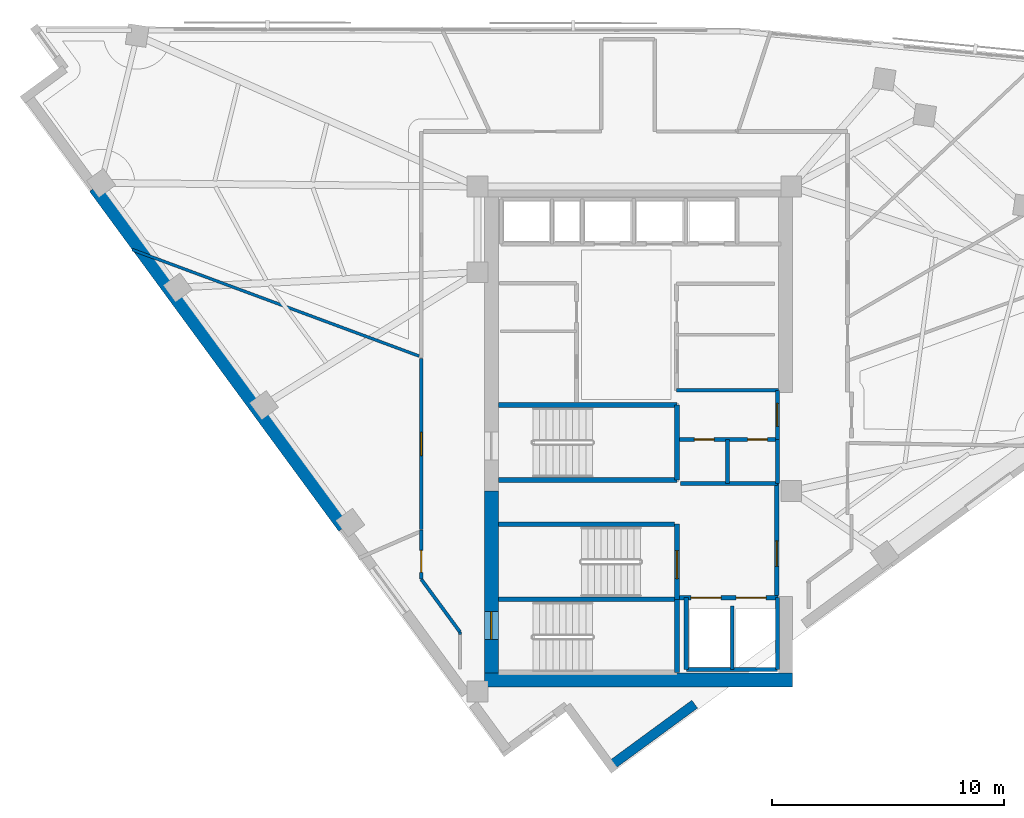
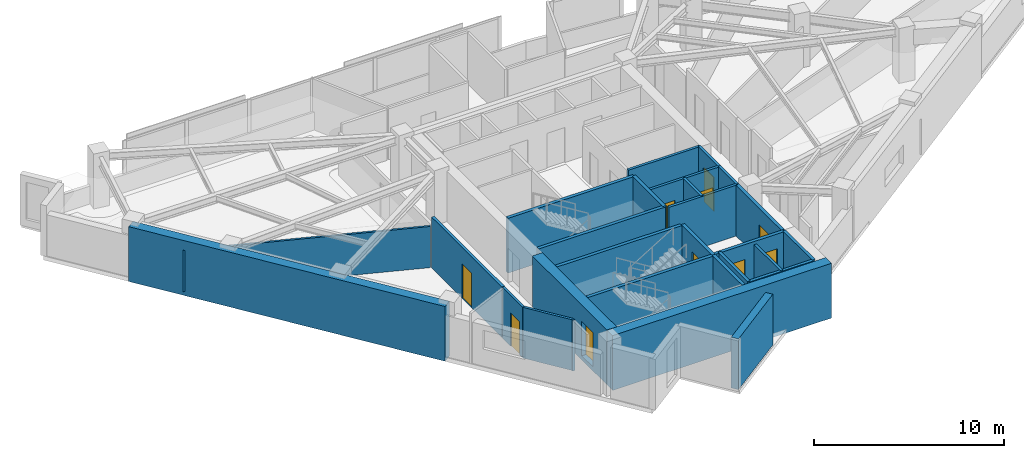
# One storey, part 8 of 14: 28 walls, 10 doors, 10 openings.
"""IFC4 building model written with IfcOpenShell, lengths in metres."""

from ifc_helpers import new_model, si_unit, direction, frame, frame_2d, origin, place, context, subcontext, project, spatial, rectangle, extrude, material, layer, layer_set, type_object, element, fill, save


model = new_model("IFC4")

# Units and contexts
model_context = context("Model", 3, precision=1e-05, world=origin(), true_north=direction((0.0, 1.0)))
body_context = subcontext(model_context, "Body", "Model", "MODEL_VIEW")
ifc_project = project(units=[si_unit("LENGTHUNIT", "METRE"), si_unit("AREAUNIT", "SQUARE_METRE"), si_unit("VOLUMEUNIT", "CUBIC_METRE"), si_unit("PLANEANGLEUNIT", "RADIAN"), si_unit("MASSUNIT", "GRAM", prefix="KILO")], contexts=[model_context])

# Site, building, storey
site_placement = place(None, origin())
site = spatial("IfcSite", under=ifc_project, at=site_placement, CompositionType="ELEMENT")
building_placement = place(site_placement, origin())
building = spatial("IfcBuilding", under=site, at=building_placement, Name="Narakoshi Arena Tower", CompositionType="ELEMENT")
storey_placement = place(building_placement, frame((0.0, 0.0, 250.179931640625)))
storey = spatial("IfcBuildingStorey", under=building, at=storey_placement, Name="L68", CompositionType="ELEMENT", Elevation=250.179931640625)

# Wall, opening, door
ifc_material_1 = material(Name="Concrete C50/60", Category="concrete")
ifc_layer_1 = layer(ifc_material_1, 0.60009765625)
ifc_layer_set_1 = layer_set([ifc_layer_1], Name="Concrete C50/60")
wall_type_1 = type_object("IfcWallType", Name="WL-CORE-600", PredefinedType="SHEAR", material=ifc_layer_set_1)
wall_1_placement = place(storey_placement, frame((72.60009765625, 35.5, -0.260009765625), z_axis=(0.0, 0.0, 1.0), x_axis=(0.0, 1.0, 0.0)))
wall_1 = element("IfcWall", 1, at=wall_1_placement, inside=storey, type_object=wall_type_1, Name="L68 Central Core Shear Wall CW-APX-W", PredefinedType="SHEAR", context=body_context, shape_type="SweptSolid", body=[
    extrude(rectangle(XDim=7.85009765625, YDim=0.60009765625, at=frame_2d((3.925048828125, 0.0))), origin(), (0.0, 0.0, 1.0), 3.52001953125),
])
opening_1_placement = place(wall_1_placement, frame((1.449951171875, 0.0, 0.260009765625)))
opening_1 = element("IfcOpeningElement", 2, at=opening_1_placement, cuts=wall_1, Name="Opening D-03", PredefinedType="OPENING", context=body_context, shape_type="SweptSolid", body=[
    extrude(rectangle(XDim=1.199951171875, YDim=2.199951171875, at=frame_2d((0.60009765625, 1.10009765625))), frame((0.0, 0.31005859375, 0.0), z_axis=(0.0, -1.0, 0.0), x_axis=(1.0, 0.0, 0.0)), (0.0, 0.0, 1.0), 0.6201171875),
])
ifc_material_2 = material(Name="Painted galvanized steel", Category="steel")
door_type_1 = type_object("IfcDoorType", Name="DR-STR-1200", OperationType="NOTDEFINED", PredefinedType="USERDEFINED", material=ifc_material_2)
door_1_placement = place(opening_1_placement, frame((1.199951171875, 0.0, 0.0), z_axis=(0.0, 0.0, 1.0), x_axis=(-1.0, 0.0, 0.0)))
door_1 = element("IfcDoor", 3, at=door_1_placement, inside=storey, type_object=door_type_1, Name="DR-L68-001", ObjectType="EXITDOOR", OperationType="SINGLE_SWING_LEFT", OverallHeight=2.199951171875, OverallWidth=1.199951171875, PredefinedType="USERDEFINED", context=body_context, shape_type="SweptSolid", body=[
    extrude(rectangle(XDim=1.199951171875, YDim=2.199951171875, at=frame_2d((0.60009765625, 1.10009765625))), frame((0.0, 0.02490234375, 0.0), z_axis=(0.0, -1.0, 0.0), x_axis=(1.0, 0.0, 0.0)), (0.0, 0.0, 1.0), 0.050048828125),
])
fill(opening_1, door_1)

# Wall
wall_2_placement = place(storey_placement, frame((72.300048828125, 35.199951171875, -0.260009765625), z_axis=(0.0, 0.0, 1.0), x_axis=(1.0, 0.0, 0.0)))
element("IfcWall", 4, at=wall_2_placement, inside=storey, type_object=wall_type_1, Name="L68 Central Core Shear Wall CW-APX-S", PredefinedType="SHEAR", context=body_context, shape_type="SweptSolid", body=[
    extrude(rectangle(XDim=13.300048828125, YDim=0.60009765625, at=frame_2d((6.64990234375, 0.0))), origin(), (0.0, 0.0, 1.0), 3.52001953125),
])

# Wall, opening, door
ifc_material_3 = material(Name="Gypsum plasterboard fire-rated partition")
ifc_layer_2 = layer(ifc_material_3, 0.1650390625)
ifc_layer_set_2 = layer_set([ifc_layer_2], Name="Gypsum plasterboard fire-rated partition")
wall_type_2 = type_object("IfcWallType", Name="WL-CORR-165", PredefinedType="PARTITIONING", material=ifc_layer_set_2)
wall_3_placement = place(storey_placement, frame((84.949951171875, 45.580078125, 0.0), z_axis=(0.0, 0.0, 1.0), x_axis=(0.0, 1.0, 0.0)))
wall_3 = element("IfcWall", 5, at=wall_3_placement, inside=storey, type_object=wall_type_2, Name="L68 Core Wall CPAS-E", PredefinedType="PARTITIONING", context=body_context, shape_type="SweptSolid", body=[
    extrude(rectangle(XDim=2.119873046875, YDim=0.1650390625, at=frame_2d((1.06005859375, 0.0))), origin(), (0.0, 0.0, 1.0), 3.260009765625),
])
opening_2_placement = place(wall_3_placement, frame((0.56005859375, 0.0, 0.0)))
opening_2 = element("IfcOpeningElement", 6, at=opening_2_placement, cuts=wall_3, Name="Opening D-06", PredefinedType="OPENING", context=body_context, shape_type="SweptSolid", body=[
    extrude(rectangle(XDim=1.0, YDim=2.199951171875, at=frame_2d((0.5, 1.10009765625))), frame((0.0, 0.092529296875, 0.0), z_axis=(0.0, -1.0, 0.0), x_axis=(1.0, 0.0, 0.0)), (0.0, 0.0, 1.0), 0.18505859375),
])
ifc_material_4 = material(Name="Stained oak solid-core timber", Category="wood")
door_type_2 = type_object("IfcDoorType", Name="DR-OFF-1000", OperationType="NOTDEFINED", PredefinedType="DOOR", material=ifc_material_4)
door_2_placement = place(opening_2_placement, frame((1.0, 0.0, 0.0), z_axis=(0.0, 0.0, 1.0), x_axis=(-1.0, 0.0, 0.0)))
door_2 = element("IfcDoor", 7, at=door_2_placement, inside=storey, type_object=door_type_2, Name="DR-L68-007", OperationType="SINGLE_SWING_LEFT", OverallHeight=2.199951171875, OverallWidth=1.0, PredefinedType="DOOR", context=body_context, shape_type="SweptSolid", body=[
    extrude(rectangle(XDim=1.0, YDim=2.199951171875, at=frame_2d((0.5, 1.10009765625))), frame((0.0, 0.02490234375, 0.0), z_axis=(0.0, -1.0, 0.0), x_axis=(1.0, 0.0, 0.0)), (0.0, 0.0, 1.0), 0.050048828125),
])
fill(opening_2, door_2)

wall_4_placement = place(storey_placement, frame((69.573486328125, 49.082763671875, 0.0), z_axis=(0.0, 0.0, 1.0), x_axis=(0.0, -1.0, 0.0)))
wall_4 = element("IfcWall", 8, at=wall_4_placement, inside=storey, type_object=wall_type_2, Name="L68 Corridor Partition 09-1", PredefinedType="PARTITIONING", context=body_context, shape_type="SweptSolid", body=[
    extrude(rectangle(XDim=7.3955078125, YDim=0.1650390625, at=frame_2d((3.69775390625, 0.0))), origin(), (0.0, 0.0, 1.0), 3.260009765625),
])
opening_3_placement = place(wall_4_placement, frame((3.19775390625, 0.0, 0.0)))
opening_3 = element("IfcOpeningElement", 9, at=opening_3_placement, cuts=wall_4, Name="Opening D-06", PredefinedType="OPENING", context=body_context, shape_type="SweptSolid", body=[
    extrude(rectangle(XDim=1.0, YDim=2.199951171875, at=frame_2d((0.5, 1.10009765625))), frame((0.0, 0.092529296875, 0.0), z_axis=(0.0, -1.0, 0.0), x_axis=(1.0, 0.0, 0.0)), (0.0, 0.0, 1.0), 0.18505859375),
])
door_3_placement = place(opening_3_placement, frame((1.0, 0.0, 0.0), z_axis=(0.0, 0.0, 1.0), x_axis=(-1.0, 0.0, 0.0)))
door_3 = element("IfcDoor", 10, at=door_3_placement, inside=storey, type_object=door_type_2, Name="DR-L68-025", OperationType="SINGLE_SWING_RIGHT", OverallHeight=2.199951171875, OverallWidth=1.0, PredefinedType="DOOR", context=body_context, shape_type="SweptSolid", body=[
    extrude(rectangle(XDim=1.0, YDim=2.199951171875, at=frame_2d((0.5, 1.10009765625))), frame((0.0, 0.02490234375, 0.0), z_axis=(0.0, -1.0, 0.0), x_axis=(1.0, 0.0, 0.0)), (0.0, 0.0, 1.0), 0.050048828125),
])
fill(opening_3, door_3)

# Walls
ifc_layer_3 = layer(ifc_material_1, 0.550048828125)
ifc_layer_set_3 = layer_set([ifc_layer_3], Name="Concrete C50/60")
wall_type_3 = type_object("IfcWallType", Name="WL-LEG-550", PredefinedType="SHEAR", material=ifc_layer_set_3)
wall_5_placement = place(storey_placement, frame((55.47509765625, 56.450439453125, -0.260009765625), z_axis=(0.0, 0.0, 1.0), x_axis=(0.591309555876, -0.806444672082, 0.0)))
element("IfcWall", 11, at=wall_5_placement, inside=storey, type_object=wall_type_3, Name="L68 Architectural Concrete Structural Wall LEGB-2", PredefinedType="SHEAR", context=body_context, shape_type="SweptSolid", body=[
    extrude(rectangle(XDim=18.1923828125, YDim=0.550048828125, at=frame_2d((9.09619140625, 0.0))), origin(), (0.0, 0.0, 1.0), 3.52001953125),
])
ifc_layer_4 = layer(ifc_material_3, 0.125)
ifc_layer_set_4 = layer_set([ifc_layer_4], Name="Gypsum plasterboard fire-rated partition")
wall_type_4 = type_object("IfcWallType", Name="WL-PART-125", PredefinedType="PARTITIONING", material=ifc_layer_set_4)
wall_6_placement = place(storey_placement, frame((69.47900390625, 49.181884765625, 0.0), z_axis=(0.0, 0.0, 1.0), x_axis=(-0.937624257071, 0.347650330868, 0.0)))
element("IfcWall", 12, at=wall_6_placement, inside=storey, type_object=wall_type_4, Name="L68 Inter-Room Partition 08-09", PredefinedType="PARTITIONING", context=body_context, shape_type="SweptSolid", body=[
    extrude(rectangle(XDim=13.205322265625, YDim=0.125, at=frame_2d((6.6025390625, 0.0))), origin(), (0.0, 0.0, 1.0), 2.64501953125),
])
ifc_material_5 = material(Name="Precast concrete C45/55", Category="concrete")
ifc_layer_5 = layer(ifc_material_5, 0.419921875)
ifc_layer_set_5 = layer_set([ifc_layer_5], Name="Precast concrete C45/55")
wall_type_5 = type_object("IfcWallType", Name="WL-POD-420", PredefinedType="SOLIDWALL", material=ifc_layer_set_5)
wall_7_placement = place(storey_placement, frame((77.760009765625, 31.4951171875, 0.0), z_axis=(0.0, 0.0, 1.0), x_axis=(0.806458583304, 0.591290582891, 0.0)))
element("IfcWall", 13, at=wall_7_placement, inside=storey, type_object=wall_type_5, Name="L68 Architectural Concrete Facade Wall LEGA-1", PredefinedType="SOLIDWALL", context=body_context, shape_type="SweptSolid", body=[
    extrude(rectangle(XDim=4.48974609375, YDim=0.419921875, at=frame_2d((2.244873046875, 0.0))), origin(), (0.0, 0.0, 1.0), 3.260009765625),
])
ifc_material_6 = material(Name="Concrete C40/50", Category="concrete")
ifc_layer_6 = layer(ifc_material_6, 0.280029296875)
ifc_layer_set_6 = layer_set([ifc_layer_6], Name="Concrete C40/50")
wall_type_6 = type_object("IfcWallType", Name="WL-RISER-280", PredefinedType="PLUMBINGWALL", material=ifc_layer_set_6)
wall_8_placement = place(storey_placement, frame((83.0, 35.64990234375, 0.0), z_axis=(0.0, 0.0, 1.0), x_axis=(0.0, 1.0, 0.0)))
element("IfcWall", 14, at=wall_8_placement, inside=storey, type_object=wall_type_6, Name="L68 Core Wall FF-DIV", PredefinedType="PLUMBINGWALL", context=body_context, shape_type="SweptSolid", body=[
    extrude(rectangle(XDim=2.75, YDim=0.159912109375, at=frame_2d((1.375, 0.0))), origin(), (0.0, 0.0, 1.0), 3.260009765625),
])
wall_9_placement = place(storey_placement, frame((84.949951171875, 43.679931640625, 0.0), z_axis=(0.0, 0.0, 1.0), x_axis=(0.0, 1.0, 0.0)))
element("IfcWall", 15, at=wall_9_placement, inside=storey, type_object=wall_type_6, Name="L68 Core Wall RSR-E", PredefinedType="PLUMBINGWALL", context=body_context, shape_type="SweptSolid", body=[
    extrude(rectangle(XDim=1.900146484375, YDim=0.1650390625, at=frame_2d((0.9501953125, 0.0))), origin(), (0.0, 0.0, 1.0), 3.260009765625),
])

# Wall, openings, doors
wall_10_placement = place(storey_placement, frame((80.719970703125, 45.580078125, 0.0), z_axis=(0.0, 0.0, 1.0), x_axis=(1.0, 0.0, 0.0)))
wall_10 = element("IfcWall", 16, at=wall_10_placement, inside=storey, type_object=wall_type_6, Name="L68 Core Wall RSR-N", PredefinedType="PLUMBINGWALL", context=body_context, shape_type="SweptSolid", body=[
    extrude(rectangle(XDim=4.22998046875, YDim=0.159912109375, at=frame_2d((2.114990234375, 0.0))), origin(), (0.0, 0.0, 1.0), 3.260009765625),
])
opening_4_placement = place(wall_10_placement, frame((0.64990234375, 0.0, 0.0)))
opening_4 = element("IfcOpeningElement", 17, at=opening_4_placement, cuts=wall_10, Name="Opening D-10", PredefinedType="OPENING", context=body_context, shape_type="SweptSolid", body=[
    extrude(rectangle(XDim=0.85009765625, YDim=2.050048828125, at=frame_2d((0.425048828125, 1.02490234375))), frame((0.0, 0.08984375, 0.0), z_axis=(0.0, -1.0, 0.0), x_axis=(1.0, 0.0, 0.0)), (0.0, 0.0, 1.0), 0.179931640625),
])
opening_5_placement = place(wall_10_placement, frame((2.949951171875, 0.0, 0.0)))
opening_5 = element("IfcOpeningElement", 18, at=opening_5_placement, cuts=wall_10, Name="Opening D-10", PredefinedType="OPENING", context=body_context, shape_type="SweptSolid", body=[
    extrude(rectangle(XDim=0.85009765625, YDim=2.050048828125, at=frame_2d((0.425048828125, 1.02490234375))), frame((0.0, 0.08984375, 0.0), z_axis=(0.0, -1.0, 0.0), x_axis=(1.0, 0.0, 0.0)), (0.0, 0.0, 1.0), 0.179931640625),
])
door_type_3 = type_object("IfcDoorType", Name="DR-RSR-850", OperationType="NOTDEFINED", PredefinedType="DOOR", material=ifc_material_2)
door_4_placement = place(opening_4_placement, frame((0.85009765625, 0.0, 0.0), z_axis=(0.0, 0.0, 1.0), x_axis=(-1.0, 0.0, 0.0)))
door_4 = element("IfcDoor", 19, at=door_4_placement, inside=storey, type_object=door_type_3, Name="DR-L68-008", OperationType="SINGLE_SWING_LEFT", OverallHeight=2.050048828125, OverallWidth=0.85009765625, PredefinedType="DOOR", context=body_context, shape_type="SweptSolid", body=[
    extrude(rectangle(XDim=0.85009765625, YDim=2.050048828125, at=frame_2d((0.425048828125, 1.02490234375))), frame((0.0, 0.02490234375, 0.0), z_axis=(0.0, -1.0, 0.0), x_axis=(1.0, 0.0, 0.0)), (0.0, 0.0, 1.0), 0.050048828125),
])
fill(opening_4, door_4)
door_5_placement = place(opening_5_placement, frame((0.85009765625, 0.0, 0.0), z_axis=(0.0, 0.0, 1.0), x_axis=(-1.0, 0.0, 0.0)))
door_5 = element("IfcDoor", 20, at=door_5_placement, inside=storey, type_object=door_type_3, Name="DR-L68-009", OperationType="SINGLE_SWING_RIGHT", OverallHeight=2.050048828125, OverallWidth=0.85009765625, PredefinedType="DOOR", context=body_context, shape_type="SweptSolid", body=[
    extrude(rectangle(XDim=0.85009765625, YDim=2.050048828125, at=frame_2d((0.425048828125, 1.02490234375))), frame((0.0, 0.02490234375, 0.0), z_axis=(0.0, -1.0, 0.0), x_axis=(1.0, 0.0, 0.0)), (0.0, 0.0, 1.0), 0.050048828125),
])
fill(opening_5, door_5)

# Walls
wall_11_placement = place(storey_placement, frame((80.760009765625, 43.679931640625, 0.0), z_axis=(0.0, 0.0, 1.0), x_axis=(1.0, 0.0, 0.0)))
element("IfcWall", 21, at=wall_11_placement, inside=storey, type_object=wall_type_6, Name="L68 Core Wall RSR-S", PredefinedType="PLUMBINGWALL", context=body_context, shape_type="SweptSolid", body=[
    extrude(rectangle(XDim=4.18994140625, YDim=0.159912109375, at=frame_2d((2.094970703125, 0.0))), origin(), (0.0, 0.0, 1.0), 3.260009765625),
])
wall_12_placement = place(storey_placement, frame((82.800048828125, 43.679931640625, 0.0), z_axis=(0.0, 0.0, 1.0), x_axis=(0.0, 1.0, 0.0)))
element("IfcWall", 22, at=wall_12_placement, inside=storey, type_object=wall_type_6, Name="L68 Core Wall RSR-M", PredefinedType="PLUMBINGWALL", context=body_context, shape_type="SweptSolid", body=[
    extrude(rectangle(XDim=1.900146484375, YDim=0.159912109375, at=frame_2d((0.9501953125, 0.0))), origin(), (0.0, 0.0, 1.0), 3.260009765625),
])
ifc_layer_7 = layer(ifc_material_1, 0.35009765625)
ifc_layer_set_7 = layer_set([ifc_layer_7], Name="Concrete C50/60")
wall_type_7 = type_object("IfcWallType", Name="WL-SHAFT-350", PredefinedType="SOLIDWALL", material=ifc_layer_set_7)
wall_13_placement = place(storey_placement, frame((72.919921875, 38.675048828125, -0.260009765625), z_axis=(0.0, 0.0, 1.0), x_axis=(1.0, 0.0, 0.0)))
element("IfcWall", 23, at=wall_13_placement, inside=storey, type_object=wall_type_7, Name="L68 Core Wall ST12-DIV", PredefinedType="SOLIDWALL", context=body_context, shape_type="SweptSolid", body=[
    extrude(rectangle(XDim=7.7001953125, YDim=0.199951171875, at=frame_2d((3.85009765625, 0.0))), origin(), (0.0, 0.0, 1.0), 3.52001953125),
])
wall_14_placement = place(storey_placement, frame((80.6201171875, 35.52001953125, -0.260009765625), z_axis=(0.0, 0.0, 1.0), x_axis=(0.0, 1.0, 0.0)))
element("IfcWall", 24, at=wall_14_placement, inside=storey, type_object=wall_type_7, Name="L68 Core Wall ST1-E", PredefinedType="SOLIDWALL", context=body_context, shape_type="SweptSolid", body=[
    extrude(rectangle(XDim=3.155029296875, YDim=0.199951171875, at=frame_2d((1.57763671875, 0.0))), origin(), (0.0, 0.0, 1.0), 3.52001953125),
])

# Wall, opening, door
wall_15_placement = place(storey_placement, frame((80.6201171875, 38.675048828125, -0.260009765625), z_axis=(0.0, 0.0, 1.0), x_axis=(0.0, 1.0, 0.0)))
wall_15 = element("IfcWall", 25, at=wall_15_placement, inside=storey, type_object=wall_type_7, Name="L68 Core Wall ST2-E", PredefinedType="SOLIDWALL", context=body_context, shape_type="SweptSolid", body=[
    extrude(rectangle(XDim=3.244873046875, YDim=0.199951171875, at=frame_2d((1.62255859375, 0.0))), origin(), (0.0, 0.0, 1.0), 3.52001953125),
])
opening_6_placement = place(wall_15_placement, frame((0.89990234375, 0.0, 0.260009765625)))
opening_6 = element("IfcOpeningElement", 26, at=opening_6_placement, cuts=wall_15, Name="Opening D-03", PredefinedType="OPENING", context=body_context, shape_type="SweptSolid", body=[
    extrude(rectangle(XDim=1.199951171875, YDim=2.199951171875, at=frame_2d((0.60009765625, 1.10009765625))), frame((0.0, 0.10986328125, 0.0), z_axis=(0.0, -1.0, 0.0), x_axis=(1.0, 0.0, 0.0)), (0.0, 0.0, 1.0), 0.219970703125),
])
door_6_placement = place(opening_6_placement, origin())
door_6 = element("IfcDoor", 27, at=door_6_placement, inside=storey, type_object=door_type_1, Name="DR-L68-002", ObjectType="EXITDOOR", OperationType="SINGLE_SWING_RIGHT", OverallHeight=2.199951171875, OverallWidth=1.199951171875, PredefinedType="USERDEFINED", context=body_context, shape_type="SweptSolid", body=[
    extrude(rectangle(XDim=1.199951171875, YDim=2.199951171875, at=frame_2d((0.60009765625, 1.10009765625))), frame((0.0, 0.02490234375, 0.0), z_axis=(0.0, -1.0, 0.0), x_axis=(1.0, 0.0, 0.0)), (0.0, 0.0, 1.0), 0.050048828125),
])
fill(opening_6, door_6)

# Wall, openings, doors
wall_16_placement = place(storey_placement, frame((80.719970703125, 38.75, 0.0), z_axis=(0.0, 0.0, 1.0), x_axis=(1.0, 0.0, 0.0)))
wall_16 = element("IfcWall", 28, at=wall_16_placement, inside=storey, type_object=wall_type_7, Name="L68 Core Wall FF-N", PredefinedType="SOLIDWALL", context=body_context, shape_type="SweptSolid", body=[
    extrude(rectangle(XDim=4.260009765625, YDim=0.199951171875, at=frame_2d((2.1298828125, 0.0))), origin(), (0.0, 0.0, 1.0), 3.260009765625),
])
opening_7_placement = place(wall_16_placement, frame((0.5, 0.0, 0.0)))
opening_7 = element("IfcOpeningElement", 29, at=opening_7_placement, cuts=wall_16, Name="Opening LD-02", PredefinedType="OPENING", context=body_context, shape_type="SweptSolid", body=[
    extrude(rectangle(XDim=1.300048828125, YDim=2.300048828125, at=frame_2d((0.64990234375, 1.14990234375))), frame((0.0, 0.10986328125, 0.0), z_axis=(0.0, -1.0, 0.0), x_axis=(1.0, 0.0, 0.0)), (0.0, 0.0, 1.0), 0.219970703125),
])
opening_8_placement = place(wall_16_placement, frame((2.449951171875, 0.0, 0.0)))
opening_8 = element("IfcOpeningElement", 30, at=opening_8_placement, cuts=wall_16, Name="Opening LD-02", PredefinedType="OPENING", context=body_context, shape_type="SweptSolid", body=[
    extrude(rectangle(XDim=1.300048828125, YDim=2.300048828125, at=frame_2d((0.64990234375, 1.14990234375))), frame((0.0, 0.10986328125, 0.0), z_axis=(0.0, -1.0, 0.0), x_axis=(1.0, 0.0, 0.0)), (0.0, 0.0, 1.0), 0.219970703125),
])
ifc_material_7 = material(Name="Brushed bronze stainless steel", Category="steel")
door_type_4 = type_object("IfcDoorType", Name="DR-LFT-1300", OperationType="DOUBLE_DOOR_SLIDING", PredefinedType="DOOR", material=ifc_material_7)
door_7_placement = place(opening_7_placement, origin())
door_7 = element("IfcDoor", 31, at=door_7_placement, inside=storey, type_object=door_type_4, Name="DR-L68-003", OperationType="DOUBLE_DOOR_SLIDING", OverallHeight=2.300048828125, OverallWidth=1.300048828125, PredefinedType="DOOR", context=body_context, shape_type="SweptSolid", body=[
    extrude(rectangle(XDim=1.300048828125, YDim=2.300048828125, at=frame_2d((0.64990234375, 1.14990234375))), frame((0.0, 0.02490234375, 0.0), z_axis=(0.0, -1.0, 0.0), x_axis=(1.0, 0.0, 0.0)), (0.0, 0.0, 1.0), 0.050048828125),
])
fill(opening_7, door_7)
door_8_placement = place(opening_8_placement, origin())
door_8 = element("IfcDoor", 32, at=door_8_placement, inside=storey, type_object=door_type_4, Name="DR-L68-004", OperationType="DOUBLE_DOOR_SLIDING", OverallHeight=2.300048828125, OverallWidth=1.300048828125, PredefinedType="DOOR", context=body_context, shape_type="SweptSolid", body=[
    extrude(rectangle(XDim=1.300048828125, YDim=2.300048828125, at=frame_2d((0.64990234375, 1.14990234375))), frame((0.0, 0.02490234375, 0.0), z_axis=(0.0, -1.0, 0.0), x_axis=(1.0, 0.0, 0.0)), (0.0, 0.0, 1.0), 0.050048828125),
])
fill(opening_8, door_8)

# Walls
for number, where, z_axis, x_axis, name in (
    (33, (84.949951171875, 35.64990234375, 0.0), (0.0, 0.0, 1.0), (0.0, 1.0, 0.0), "L68 Core Wall FF-E"),
    (34, (81.02001953125, 35.64990234375, 0.0), (0.0, 0.0, 1.0), (0.0, 1.0, 0.0), "L68 Core Wall FF-W"),
):
    element("IfcWall", number, at=place(storey_placement, frame(where, z_axis=z_axis, x_axis=x_axis)), inside=storey, type_object=wall_type_7, Name=name, PredefinedType="SOLIDWALL", context=body_context, shape_type="SweptSolid", body=[
        extrude(rectangle(XDim=3.10009765625, YDim=0.179931640625, at=frame_2d((1.550048828125, 0.0))), origin(), (0.0, 0.0, 1.0), 3.260009765625),
    ])
wall_17_placement = place(storey_placement, frame((81.02001953125, 35.64990234375, 0.0), z_axis=(0.0, 0.0, 1.0), x_axis=(1.0, 0.0, 0.0)))
element("IfcWall", 35, at=wall_17_placement, inside=storey, type_object=wall_type_7, Name="L68 Core Wall FF-S", PredefinedType="SOLIDWALL", context=body_context, shape_type="SweptSolid", body=[
    extrude(rectangle(XDim=3.929931640625, YDim=0.179931640625, at=frame_2d((1.96484375, 0.0))), origin(), (0.0, 0.0, 1.0), 3.260009765625),
])

# Wall, opening, door
wall_18_placement = place(storey_placement, frame((84.919921875, 38.85009765625, 0.0), z_axis=(0.0, 0.0, 1.0), x_axis=(0.0, 1.0, 0.0)))
wall_18 = element("IfcWall", 36, at=wall_18_placement, inside=storey, type_object=wall_type_7, Name="L68 Core Wall FFLOB-E", PredefinedType="SOLIDWALL", context=body_context, shape_type="SweptSolid", body=[
    extrude(rectangle(XDim=4.829833984375, YDim=0.199951171875, at=frame_2d((2.4150390625, 0.0))), origin(), (0.0, 0.0, 1.0), 3.260009765625),
])
opening_9_placement = place(wall_18_placement, frame((1.25, 0.0, 0.0)))
opening_9 = element("IfcOpeningElement", 37, at=opening_9_placement, cuts=wall_18, Name="Opening D-04", PredefinedType="OPENING", context=body_context, shape_type="SweptSolid", body=[
    extrude(rectangle(XDim=1.10009765625, YDim=2.199951171875, at=frame_2d((0.550048828125, 1.10009765625))), frame((0.0, 0.10986328125, 0.0), z_axis=(0.0, -1.0, 0.0), x_axis=(1.0, 0.0, 0.0)), (0.0, 0.0, 1.0), 0.219970703125),
])
door_type_5 = type_object("IfcDoorType", Name="DR-FFL-1100", OperationType="NOTDEFINED", PredefinedType="DOOR", material=ifc_material_2)
door_9_placement = place(opening_9_placement, frame((1.10009765625, 0.0, 0.0), z_axis=(0.0, 0.0, 1.0), x_axis=(-1.0, 0.0, 0.0)))
door_9 = element("IfcDoor", 38, at=door_9_placement, inside=storey, type_object=door_type_5, Name="DR-L68-005", OperationType="SINGLE_SWING_RIGHT", OverallHeight=2.199951171875, OverallWidth=1.10009765625, PredefinedType="DOOR", context=body_context, shape_type="SweptSolid", body=[
    extrude(rectangle(XDim=1.10009765625, YDim=2.199951171875, at=frame_2d((0.550048828125, 1.10009765625))), frame((0.0, 0.02490234375, 0.0), z_axis=(0.0, -1.0, 0.0), x_axis=(1.0, 0.0, 0.0)), (0.0, 0.0, 1.0), 0.050048828125),
])
fill(opening_9, door_9)

# Walls
wall_19_placement = place(storey_placement, frame((72.919921875, 41.919921875, -0.260009765625), z_axis=(0.0, 0.0, 1.0), x_axis=(1.0, 0.0, 0.0)))
element("IfcWall", 39, at=wall_19_placement, inside=storey, type_object=wall_type_7, Name="L68 Core Wall ST2-N", PredefinedType="SOLIDWALL", context=body_context, shape_type="SweptSolid", body=[
    extrude(rectangle(XDim=7.580078125, YDim=0.199951171875, at=frame_2d((3.7900390625, 0.0))), origin(), (0.0, 0.0, 1.0), 3.52001953125),
])
for number, where, z_axis, x_axis, name in (
    (40, (72.919921875, 43.830078125, -0.260009765625), (0.0, 0.0, 1.0), (1.0, 0.0, 0.0), "L68 Core Wall ST3-S"),
    (41, (72.919921875, 47.070068359375, -0.260009765625), (0.0, 0.0, 1.0), (1.0, 0.0, 0.0), "L68 Core Wall ST3-N"),
):
    element("IfcWall", number, at=place(storey_placement, frame(where, z_axis=z_axis, x_axis=x_axis)), inside=storey, type_object=wall_type_7, Name=name, PredefinedType="SOLIDWALL", context=body_context, shape_type="SweptSolid", body=[
        extrude(rectangle(XDim=7.7001953125, YDim=0.199951171875, at=frame_2d((3.85009765625, 0.0))), origin(), (0.0, 0.0, 1.0), 3.52001953125),
    ])
wall_20_placement = place(storey_placement, frame((80.6201171875, 43.830078125, -0.260009765625), z_axis=(0.0, 0.0, 1.0), x_axis=(0.0, 1.0, 0.0)))
element("IfcWall", 42, at=wall_20_placement, inside=storey, type_object=wall_type_7, Name="L68 Core Wall ST3-E", PredefinedType="SOLIDWALL", context=body_context, shape_type="SweptSolid", body=[
    extrude(rectangle(XDim=3.239990234375, YDim=0.199951171875, at=frame_2d((1.6201171875, 0.0))), origin(), (0.0, 0.0, 1.0), 3.52001953125),
])
wall_21_placement = place(storey_placement, frame((80.60009765625, 47.699951171875, 0.0), z_axis=(0.0, 0.0, 1.0), x_axis=(1.0, 0.0, 0.0)))
element("IfcWall", 43, at=wall_21_placement, inside=storey, type_object=wall_type_7, Name="L68 Core Wall MR-S", PredefinedType="SOLIDWALL", context=body_context, shape_type="SweptSolid", body=[
    extrude(rectangle(XDim=4.39990234375, YDim=0.159912109375, at=frame_2d((2.199951171875, 0.0))), origin(), (0.0, 0.0, 1.0), 3.260009765625),
])
ifc_material_8 = material(Name="Moisture-resistant cement-board partition")
ifc_layer_8 = layer(ifc_material_8, 0.14501953125)
ifc_layer_set_8 = layer_set([ifc_layer_8], Name="Moisture-resistant cement-board partition")
wall_type_8 = type_object("IfcWallType", Name="WL-WET-145", PredefinedType="PARTITIONING", material=ifc_layer_set_8)
wall_22_placement = place(storey_placement, frame((69.573486328125, 39.5478515625, 0.0), z_axis=(0.0, 0.0, 1.0), x_axis=(0.591326331503, -0.806432371418, 0.0)))
element("IfcWall", 44, at=wall_22_placement, inside=storey, type_object=wall_type_8, Name="L68 Corridor Partition 01-1", PredefinedType="PARTITIONING", context=body_context, shape_type="SweptSolid", body=[
    extrude(rectangle(XDim=2.835205078125, YDim=0.14501953125, at=frame_2d((1.41748046875, 0.0))), origin(), (0.0, 0.0, 1.0), 3.260009765625),
])

# Wall, opening, door
wall_23_placement = place(storey_placement, frame((69.573486328125, 41.6611328125, 0.0), z_axis=(0.0, 0.0, 1.0), x_axis=(0.0, -1.0, 0.0)))
wall_23 = element("IfcWall", 45, at=wall_23_placement, inside=storey, type_object=wall_type_8, Name="L68 Corridor Partition 01-2", PredefinedType="PARTITIONING", context=body_context, shape_type="SweptSolid", body=[
    extrude(rectangle(XDim=2.11328125, YDim=0.14501953125, at=frame_2d((1.056640625, 0.0))), origin(), (0.0, 0.0, 1.0), 3.260009765625),
])
opening_10_placement = place(wall_23_placement, frame((0.87158203125, 0.0, 0.0)))
opening_10 = element("IfcOpeningElement", 46, at=opening_10_placement, cuts=wall_23, Name="Opening D-07", PredefinedType="OPENING", context=body_context, shape_type="SweptSolid", body=[
    extrude(rectangle(XDim=0.949951171875, YDim=2.14990234375, at=frame_2d((0.47509765625, 1.074951171875))), frame((0.0, 0.08251953125, 0.0), z_axis=(0.0, -1.0, 0.0), x_axis=(1.0, 0.0, 0.0)), (0.0, 0.0, 1.0), 0.1650390625),
])
door_type_6 = type_object("IfcDoorType", Name="DR-ACC-950", OperationType="NOTDEFINED", PredefinedType="DOOR", material=ifc_material_4)
door_10_placement = place(opening_10_placement, frame((0.949951171875, 0.0, 0.0), z_axis=(0.0, 0.0, 1.0), x_axis=(-1.0, 0.0, 0.0)))
door_10 = element("IfcDoor", 47, at=door_10_placement, inside=storey, type_object=door_type_6, Name="DR-L68-017", OperationType="SINGLE_SWING_LEFT", OverallHeight=2.14990234375, OverallWidth=0.949951171875, PredefinedType="DOOR", context=body_context, shape_type="SweptSolid", body=[
    extrude(rectangle(XDim=0.949951171875, YDim=2.14990234375, at=frame_2d((0.47509765625, 1.074951171875))), frame((0.0, 0.02490234375, 0.0), z_axis=(0.0, -1.0, 0.0), x_axis=(1.0, 0.0, 0.0)), (0.0, 0.0, 1.0), 0.050048828125),
])
fill(opening_10, door_10)

# Wall
wall_24_placement = place(storey_placement, frame((71.25, 37.261474609375, 0.0), z_axis=(0.0, 0.0, 1.0), x_axis=(0.0, -1.0, 0.0)))
element("IfcWall", 48, at=wall_24_placement, inside=storey, type_object=wall_type_8, Name="L68 Corridor Partition 01-3", PredefinedType="PARTITIONING", context=body_context, shape_type="SweptSolid", body=[
    extrude(rectangle(XDim=0.1015625, YDim=0.14501953125, at=frame_2d((0.05078125, 0.0))), origin(), (0.0, 0.0, 1.0), 3.260009765625),
])

save(model, "model.ifc")
